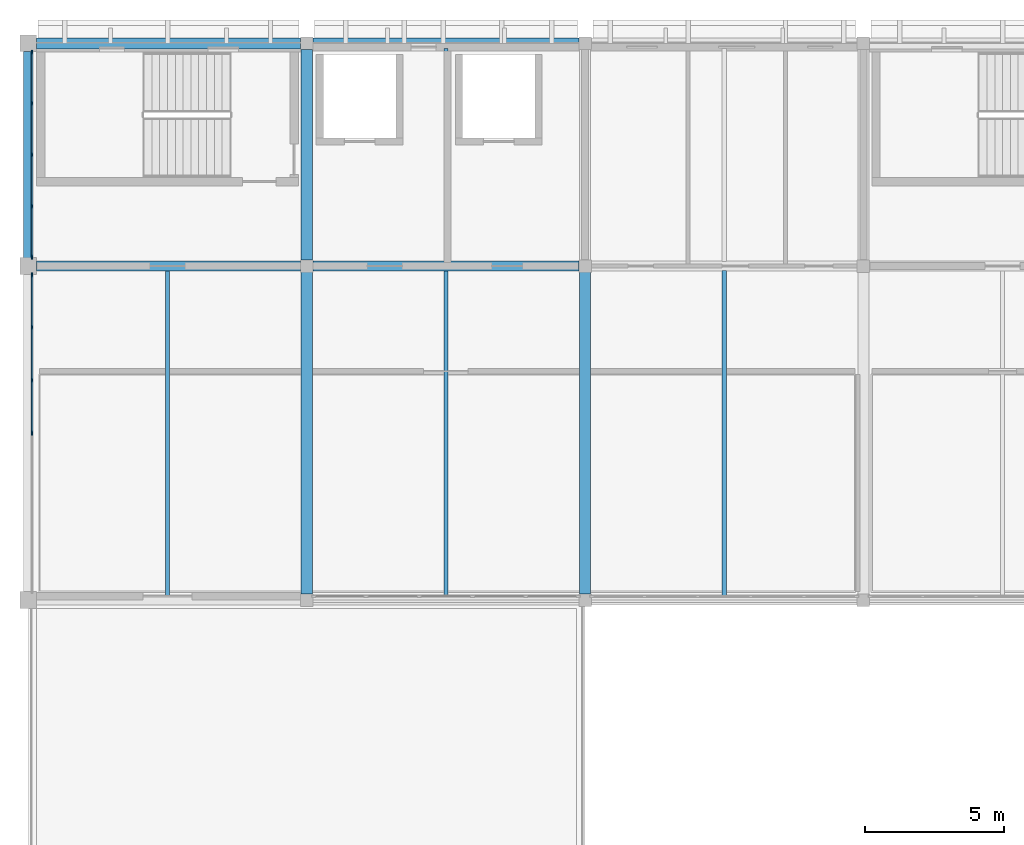
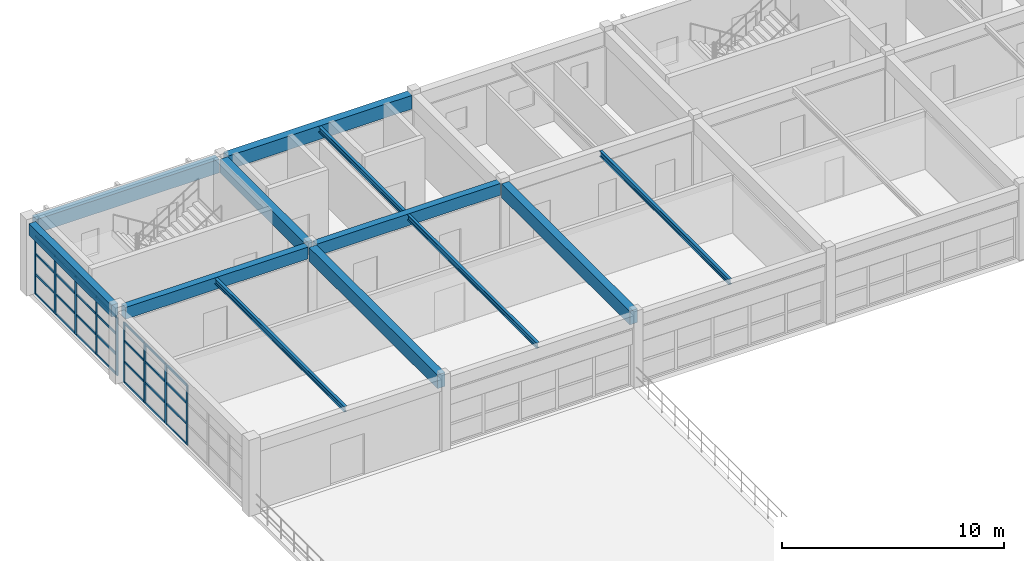
# One storey, part 9 of 21: 37 members, 12 beams, 2 elements without a shape of their own.
"""IFC4 building model written with IfcOpenShell, lengths in metres."""

from ifc_helpers import new_model, si_unit, direction, frame, origin, origin_2d, place, context, subcontext, project, spatial, rectangle, i_section, extrude, material, layer, layer_set, material_profile, profile_set, type_object, element, aggregate, save


model = new_model("IFC4")

# Units and contexts
model_context = context("Model", 3, precision=1e-05, world=origin(), true_north=direction((0.0, 1.0)))
body_context = subcontext(model_context, "Body", "Model", "MODEL_VIEW")
ifc_project = project(units=[si_unit("LENGTHUNIT", "METRE"), si_unit("AREAUNIT", "SQUARE_METRE"), si_unit("VOLUMEUNIT", "CUBIC_METRE"), si_unit("PLANEANGLEUNIT", "RADIAN"), si_unit("MASSUNIT", "GRAM", prefix="KILO")], contexts=[model_context])

# Site, building, storey
site_placement = place(None, origin())
site = spatial("IfcSite", under=ifc_project, at=site_placement, CompositionType="ELEMENT")
building_placement = place(site_placement, origin())
building = spatial("IfcBuilding", under=site, at=building_placement, Name="Kivolera Central Railway Station", CompositionType="ELEMENT")
storey_placement = place(building_placement, frame((0.0, 0.0, 22.800048828125)))
storey = spatial("IfcBuildingStorey", under=building, at=storey_placement, Name="L05", CompositionType="ELEMENT", Elevation=22.800048828125)

# Beams
ifc_material_1 = material(Name="Steel S355", Category="steel")
ifc_material_profile_1 = material_profile(ifc_material_1, i_section(OverallWidth=0.14990234375, OverallDepth=0.300048828125, WebThickness=0.007080078125, FlangeThickness=0.0107421875, FilletRadius=0.014892578125, at=origin_2d()), Name="IPE 300")
ifc_profile_set_1 = profile_set([ifc_material_profile_1], Name="Steel S355")
beam_type_1 = type_object("IfcBeamType", Name="BM-JST-IPE300", PredefinedType="JOIST", material=ifc_profile_set_1)
for number, where, z_axis, x_axis, name in (
    (1, (123.0, 114.1669921875, 3.787841796875), (0.0, 1.0, 0.0), (-1.0, 0.0, 0.0), "L05 Floor Joist 12-13/K-L"),
    (2, (133.0, 114.1669921875, 3.787841796875), (0.0, 1.0, 0.0), (-1.0, 0.0, 0.0), "L05 Floor Joist 13-14/K-L"),
):
    element("IfcBeam", number, at=place(storey_placement, frame(where, z_axis=z_axis, x_axis=x_axis)), inside=storey, type_object=beam_type_1, Name=name, PredefinedType="JOIST", context=body_context, shape_type="SweptSolid", body=[
        extrude(i_section(OverallWidth=0.14990234375, OverallDepth=0.300048828125, WebThickness=0.007080078125, FlangeThickness=0.0107421875, FilletRadius=0.014892578125, at=origin_2d()), origin(), (0.0, 0.0, 1.0), 11.666015625),
    ])
beam_1_placement = place(storey_placement, frame((133.0, 126.1669921875, 3.787841796875), z_axis=(0.0, 1.0, 0.0), x_axis=(-1.0, 0.0, 0.0)))
element("IfcBeam", 3, at=beam_1_placement, inside=storey, type_object=beam_type_1, Name="L05 Floor Joist 13-14/L-M", PredefinedType="JOIST", context=body_context, shape_type="SweptSolid", body=[
    extrude(i_section(OverallWidth=0.14990234375, OverallDepth=0.300048828125, WebThickness=0.007080078125, FlangeThickness=0.0107421875, FilletRadius=0.014892578125, at=origin_2d()), origin(), (0.0, 0.0, 1.0), 7.64111328125),
])
beam_2_placement = place(storey_placement, frame((143.0, 114.1669921875, 3.787841796875), z_axis=(0.0, 1.0, 0.0), x_axis=(-1.0, 0.0, 0.0)))
element("IfcBeam", 4, at=beam_2_placement, inside=storey, type_object=beam_type_1, Name="L05 Floor Joist 14-15/K-L", PredefinedType="JOIST", context=body_context, shape_type="SweptSolid", body=[
    extrude(i_section(OverallWidth=0.14990234375, OverallDepth=0.300048828125, WebThickness=0.007080078125, FlangeThickness=0.0107421875, FilletRadius=0.014892578125, at=origin_2d()), origin(), (0.0, 0.0, 1.0), 11.666015625),
])
ifc_material_2 = material(Name="Concrete C40/50", Category="concrete")
ifc_material_profile_2 = material_profile(ifc_material_2, rectangle(XDim=0.35009765625, YDim=0.64990234375, at=origin_2d()), Name="RC 350x650")
ifc_profile_set_2 = profile_set([ifc_material_profile_2], Name="Concrete C40/50")
beam_type_2 = type_object("IfcBeamType", Name="BM-RC-350x650", PredefinedType="BEAM", material=ifc_profile_set_2)
beam_3_placement = place(storey_placement, frame((118.2919921875, 126.0, 3.625), z_axis=(1.0, 0.0, 0.0), x_axis=(0.0, 1.0, 0.0)))
element("IfcBeam", 5, at=beam_3_placement, inside=storey, type_object=beam_type_2, Name="L05 Wing X-Beam L:12-13", PredefinedType="BEAM", context=body_context, shape_type="SweptSolid", body=[
    extrude(rectangle(XDim=0.35009765625, YDim=0.64990234375, at=origin_2d()), origin(), (0.0, 0.0, 1.0), 9.490966796875),
])
beam_4_placement = place(storey_placement, frame((128.217041015625, 126.0, 3.625), z_axis=(1.0, 0.0, 0.0), x_axis=(0.0, 1.0, 0.0)))
element("IfcBeam", 6, at=beam_4_placement, inside=storey, type_object=beam_type_2, Name="L05 Wing X-Beam L:13-14", PredefinedType="BEAM", context=body_context, shape_type="SweptSolid", body=[
    extrude(rectangle(XDim=0.35009765625, YDim=0.64990234375, at=origin_2d()), origin(), (0.0, 0.0, 1.0), 9.56591796875),
])
ifc_material_profile_3 = material_profile(ifc_material_2, rectangle(XDim=0.39990234375, YDim=0.75, at=origin_2d()), Name="RC 400x750")
ifc_profile_set_3 = profile_set([ifc_material_profile_3], Name="Concrete C40/50")
beam_type_3 = type_object("IfcBeamType", Name="BM-RC-400x750", PredefinedType="BEAM", material=ifc_profile_set_3)
beam_5_placement = place(storey_placement, frame((128.0, 114.217041015625, 3.574951171875), z_axis=(0.0, 1.0, 0.0), x_axis=(-1.0, 0.0, 0.0)))
element("IfcBeam", 7, at=beam_5_placement, inside=storey, type_object=beam_type_3, Name="L05 Wing Y-Beam 13:K-L", PredefinedType="BEAM", context=body_context, shape_type="SweptSolid", body=[
    extrude(rectangle(XDim=0.39990234375, YDim=0.75, at=origin_2d()), origin(), (0.0, 0.0, 1.0), 11.56591796875),
])
beam_6_placement = place(storey_placement, frame((128.0, 126.217041015625, 3.574951171875), z_axis=(0.0, 1.0, 0.0), x_axis=(-1.0, 0.0, 0.0)))
element("IfcBeam", 8, at=beam_6_placement, inside=storey, type_object=beam_type_3, Name="L05 Wing Y-Beam 13:L-M", PredefinedType="BEAM", context=body_context, shape_type="SweptSolid", body=[
    extrude(rectangle(XDim=0.39990234375, YDim=0.75, at=origin_2d()), origin(), (0.0, 0.0, 1.0), 7.56591796875),
])
beam_7_placement = place(storey_placement, frame((138.0, 114.217041015625, 3.574951171875), z_axis=(0.0, 1.0, 0.0), x_axis=(-1.0, 0.0, 0.0)))
element("IfcBeam", 9, at=beam_7_placement, inside=storey, type_object=beam_type_3, Name="L05 Wing Y-Beam 14:K-L", PredefinedType="BEAM", context=body_context, shape_type="SweptSolid", body=[
    extrude(rectangle(XDim=0.39990234375, YDim=0.75, at=origin_2d()), origin(), (0.0, 0.0, 1.0), 11.56591796875),
])
ifc_material_profile_4 = material_profile(ifc_material_2, rectangle(XDim=0.35009765625, YDim=0.64990234375, at=origin_2d()), Name="RC 350x650")
ifc_profile_set_4 = profile_set([ifc_material_profile_4], Name="Concrete C40/50")
beam_type_4 = type_object("IfcBeamType", Name="BM-SPN-RC650", PredefinedType="SPANDREL", material=ifc_profile_set_4)
beam_8_placement = place(storey_placement, frame((118.0, 126.2919921875, 3.625), z_axis=(0.0, 1.0, 0.0), x_axis=(-1.0, 0.0, 0.0)))
element("IfcBeam", 10, at=beam_8_placement, inside=storey, type_object=beam_type_4, Name="L05 Wing Y-Beam 12:L-M", PredefinedType="SPANDREL", context=body_context, shape_type="SweptSolid", body=[
    extrude(rectangle(XDim=0.35009765625, YDim=0.64990234375, at=origin_2d()), origin(), (0.0, 0.0, 1.0), 7.416015625),
])
ifc_material_profile_5 = material_profile(ifc_material_2, rectangle(XDim=0.39990234375, YDim=0.75, at=origin_2d()), Name="RC 400x750")
ifc_profile_set_5 = profile_set([ifc_material_profile_5], Name="Concrete C40/50")
beam_type_5 = type_object("IfcBeamType", Name="BM-SPN-RC750", PredefinedType="SPANDREL", material=ifc_profile_set_5)
beam_9_placement = place(storey_placement, frame((118.2919921875, 134.0, 3.574951171875), z_axis=(1.0, 0.0, 0.0), x_axis=(0.0, 1.0, 0.0)))
element("IfcBeam", 11, at=beam_9_placement, inside=storey, type_object=beam_type_5, Name="L05 Wing X-Beam M:12-13", PredefinedType="SPANDREL", context=body_context, shape_type="SweptSolid", body=[
    extrude(rectangle(XDim=0.39990234375, YDim=0.75, at=origin_2d()), origin(), (0.0, 0.0, 1.0), 9.490966796875),
])
beam_10_placement = place(storey_placement, frame((128.217041015625, 134.0, 3.574951171875), z_axis=(1.0, 0.0, 0.0), x_axis=(0.0, 1.0, 0.0)))
element("IfcBeam", 12, at=beam_10_placement, inside=storey, type_object=beam_type_5, Name="L05 Wing X-Beam M:13-14", PredefinedType="SPANDREL", context=body_context, shape_type="SweptSolid", body=[
    extrude(rectangle(XDim=0.39990234375, YDim=0.75, at=origin_2d()), origin(), (0.0, 0.0, 1.0), 9.56591796875),
])

# Curtain wall, members
ifc_material_3 = material(Name="Anodised aluminium", Category="aluminium")
ifc_layer_1 = layer(ifc_material_3, 0.179931640625, Name="Anodised aluminium")
ifc_layer_set_1 = layer_set([ifc_layer_1], Name="Anodised aluminium")
curtain_wall_type_1 = type_object("IfcCurtainWallType", Name="CW-SYS-33", PredefinedType="NOTDEFINED", material=ifc_layer_set_1)
curtain_wall_1_placement = place(storey_placement, origin())
curtain_wall_1 = element("IfcCurtainWall", 13, at=curtain_wall_1_placement, inside=storey, type_object=curtain_wall_type_1, Name="L05 Curtain Wall CW-L05-WEST-K", PredefinedType="NOTDEFINED")
ifc_material_profile_6 = material_profile(ifc_material_3, rectangle(XDim=0.06005859375, YDim=0.14990234375, at=origin_2d()), Name="ALU MULL 60x150")
ifc_profile_set_6 = profile_set([ifc_material_profile_6], Name="Anodised aluminium")
member_type_1 = type_object("IfcMemberType", Name="CWM-MUL-2", PredefinedType="MULLION", material=ifc_profile_set_6)
member_1_placement = place(storey_placement, frame((118.135009765625, 120.0, -0.005126953125), z_axis=(0.0, 0.0, 1.0), x_axis=(-1.0, 0.0, 0.0)))
member_1 = element("IfcMember", 14, at=member_1_placement, type_object=member_type_1, Name="CW-33 mullion 4", PredefinedType="MULLION", context=body_context, shape_type="SweptSolid", body=[
    extrude(rectangle(XDim=0.06005859375, YDim=0.14990234375, at=origin_2d()), origin(), (0.0, 0.0, 1.0), 3.29296875),
])
member_2_placement = place(storey_placement, frame((118.135009765625, 121.901611328125, -0.005126953125), z_axis=(0.0, 0.0, 1.0), x_axis=(-1.0, 0.0, 0.0)))
member_2 = element("IfcMember", 15, at=member_2_placement, type_object=member_type_1, Name="CW-33 mullion 5", PredefinedType="MULLION", context=body_context, shape_type="SweptSolid", body=[
    extrude(rectangle(XDim=0.06005859375, YDim=0.14990234375, at=origin_2d()), origin(), (0.0, 0.0, 1.0), 3.29296875),
])
member_3_placement = place(storey_placement, frame((118.135009765625, 123.80322265625, -0.005126953125), z_axis=(0.0, 0.0, 1.0), x_axis=(-1.0, 0.0, 0.0)))
member_3 = element("IfcMember", 16, at=member_3_placement, type_object=member_type_1, Name="CW-33 mullion 6", PredefinedType="MULLION", context=body_context, shape_type="SweptSolid", body=[
    extrude(rectangle(XDim=0.06005859375, YDim=0.14990234375, at=origin_2d()), origin(), (0.0, 0.0, 1.0), 3.29296875),
])
member_4_placement = place(storey_placement, frame((118.135009765625, 125.675048828125, -0.005126953125), z_axis=(0.0, 0.0, 1.0), x_axis=(-1.0, 0.0, 0.0)))
member_4 = element("IfcMember", 17, at=member_4_placement, type_object=member_type_1, Name="CW-33 mullion 7", PredefinedType="MULLION", context=body_context, shape_type="SweptSolid", body=[
    extrude(rectangle(XDim=0.06005859375, YDim=0.14990234375, at=origin_2d()), origin(), (0.0, 0.0, 1.0), 3.29296875),
])

ifc_layer_2 = layer(ifc_material_3, 0.179931640625, Name="Anodised aluminium")
ifc_layer_set_2 = layer_set([ifc_layer_2], Name="Anodised aluminium")
curtain_wall_type_2 = type_object("IfcCurtainWallType", Name="CW-SYS-36", PredefinedType="NOTDEFINED", material=ifc_layer_set_2)
curtain_wall_2_placement = place(storey_placement, origin())
curtain_wall_2 = element("IfcCurtainWall", 18, at=curtain_wall_2_placement, inside=storey, type_object=curtain_wall_type_2, Name="L05 Curtain Wall CW-L05-WEST-L", PredefinedType="NOTDEFINED")
member_5_placement = place(storey_placement, frame((118.135009765625, 126.324951171875, -0.005126953125), z_axis=(0.0, 0.0, 1.0), x_axis=(-1.0, 0.0, 0.0)))
member_5 = element("IfcMember", 19, at=member_5_placement, type_object=member_type_1, Name="CW-36 mullion 1", PredefinedType="MULLION", context=body_context, shape_type="SweptSolid", body=[
    extrude(rectangle(XDim=0.06005859375, YDim=0.14990234375, at=origin_2d()), origin(), (0.0, 0.0, 1.0), 3.193115234375),
])
member_6_placement = place(storey_placement, frame((118.135009765625, 128.1474609375, -0.005126953125), z_axis=(0.0, 0.0, 1.0), x_axis=(-1.0, 0.0, 0.0)))
member_6 = element("IfcMember", 20, at=member_6_placement, type_object=member_type_1, Name="CW-36 mullion 2", PredefinedType="MULLION", context=body_context, shape_type="SweptSolid", body=[
    extrude(rectangle(XDim=0.06005859375, YDim=0.14990234375, at=origin_2d()), origin(), (0.0, 0.0, 1.0), 3.193115234375),
])
member_7_placement = place(storey_placement, frame((118.135009765625, 130.0, -0.005126953125), z_axis=(0.0, 0.0, 1.0), x_axis=(-1.0, 0.0, 0.0)))
member_7 = element("IfcMember", 21, at=member_7_placement, type_object=member_type_1, Name="CW-36 mullion 3", PredefinedType="MULLION", context=body_context, shape_type="SweptSolid", body=[
    extrude(rectangle(XDim=0.06005859375, YDim=0.14990234375, at=origin_2d()), origin(), (0.0, 0.0, 1.0), 3.193115234375),
])
member_8_placement = place(storey_placement, frame((118.135009765625, 131.8525390625, -0.005126953125), z_axis=(0.0, 0.0, 1.0), x_axis=(-1.0, 0.0, 0.0)))
member_8 = element("IfcMember", 22, at=member_8_placement, type_object=member_type_1, Name="CW-36 mullion 4", PredefinedType="MULLION", context=body_context, shape_type="SweptSolid", body=[
    extrude(rectangle(XDim=0.06005859375, YDim=0.14990234375, at=origin_2d()), origin(), (0.0, 0.0, 1.0), 3.193115234375),
])
member_9_placement = place(storey_placement, frame((118.135009765625, 133.675048828125, -0.005126953125), z_axis=(0.0, 0.0, 1.0), x_axis=(-1.0, 0.0, 0.0)))
member_9 = element("IfcMember", 23, at=member_9_placement, type_object=member_type_1, Name="CW-36 mullion 5", PredefinedType="MULLION", context=body_context, shape_type="SweptSolid", body=[
    extrude(rectangle(XDim=0.06005859375, YDim=0.14990234375, at=origin_2d()), origin(), (0.0, 0.0, 1.0), 3.193115234375),
])

# Member
ifc_material_profile_7 = material_profile(ifc_material_3, rectangle(XDim=0.06005859375, YDim=0.1201171875, at=origin_2d()), Name="ALU TRAN 60x120")
ifc_profile_set_7 = profile_set([ifc_material_profile_7], Name="Anodised aluminium")
member_type_2 = type_object("IfcMemberType", Name="CWM-TRN-2", PredefinedType="USERDEFINED", material=ifc_profile_set_7)
member_10_placement = place(storey_placement, frame((118.135009765625, 120.030029296875, 0.030029296875), z_axis=(0.0, 1.0, 0.0), x_axis=(-1.0, 0.0, 0.0)))
member_10 = element("IfcMember", 24, at=member_10_placement, type_object=member_type_2, Name="CW-33 transom 4.1", ObjectType="TRANSOM", PredefinedType="USERDEFINED", context=body_context, shape_type="SweptSolid", body=[
    extrude(rectangle(XDim=0.06005859375, YDim=0.1201171875, at=origin_2d()), origin(), (0.0, 0.0, 1.0), 1.841552734375),
])

member_11_placement = place(storey_placement, frame((118.135009765625, 120.030029296875, 1.150634765625), z_axis=(0.0, 1.0, 0.0), x_axis=(-1.0, 0.0, 0.0)))
member_11 = element("IfcMember", 25, at=member_11_placement, type_object=member_type_2, Name="CW-33 transom 4.2", ObjectType="TRANSOM", PredefinedType="USERDEFINED", context=body_context, shape_type="SweptSolid", body=[
    extrude(rectangle(XDim=0.06005859375, YDim=0.1201171875, at=origin_2d()), origin(), (0.0, 0.0, 1.0), 1.841552734375),
])

member_12_placement = place(storey_placement, frame((118.135009765625, 120.030029296875, 2.301513671875), z_axis=(0.0, 1.0, 0.0), x_axis=(-1.0, 0.0, 0.0)))
member_12 = element("IfcMember", 26, at=member_12_placement, type_object=member_type_2, Name="CW-33 transom 4.3", ObjectType="TRANSOM", PredefinedType="USERDEFINED", context=body_context, shape_type="SweptSolid", body=[
    extrude(rectangle(XDim=0.06005859375, YDim=0.1201171875, at=origin_2d()), origin(), (0.0, 0.0, 1.0), 1.841552734375),
])

member_13_placement = place(storey_placement, frame((118.135009765625, 120.030029296875, 3.258056640625), z_axis=(0.0, 1.0, 0.0), x_axis=(-1.0, 0.0, 0.0)))
member_13 = element("IfcMember", 27, at=member_13_placement, type_object=member_type_2, Name="CW-33 transom 4.4", ObjectType="TRANSOM", PredefinedType="USERDEFINED", context=body_context, shape_type="SweptSolid", body=[
    extrude(rectangle(XDim=0.06005859375, YDim=0.1201171875, at=origin_2d()), origin(), (0.0, 0.0, 1.0), 1.841552734375),
])

member_14_placement = place(storey_placement, frame((118.135009765625, 121.931640625, 0.030029296875), z_axis=(0.0, 1.0, 0.0), x_axis=(-1.0, 0.0, 0.0)))
member_14 = element("IfcMember", 28, at=member_14_placement, type_object=member_type_2, Name="CW-33 transom 5.1", ObjectType="TRANSOM", PredefinedType="USERDEFINED", context=body_context, shape_type="SweptSolid", body=[
    extrude(rectangle(XDim=0.06005859375, YDim=0.1201171875, at=origin_2d()), origin(), (0.0, 0.0, 1.0), 1.841796875),
])

member_15_placement = place(storey_placement, frame((118.135009765625, 121.931640625, 1.150634765625), z_axis=(0.0, 1.0, 0.0), x_axis=(-1.0, 0.0, 0.0)))
member_15 = element("IfcMember", 29, at=member_15_placement, type_object=member_type_2, Name="CW-33 transom 5.2", ObjectType="TRANSOM", PredefinedType="USERDEFINED", context=body_context, shape_type="SweptSolid", body=[
    extrude(rectangle(XDim=0.06005859375, YDim=0.1201171875, at=origin_2d()), origin(), (0.0, 0.0, 1.0), 1.841796875),
])

member_16_placement = place(storey_placement, frame((118.135009765625, 121.931640625, 2.301513671875), z_axis=(0.0, 1.0, 0.0), x_axis=(-1.0, 0.0, 0.0)))
member_16 = element("IfcMember", 30, at=member_16_placement, type_object=member_type_2, Name="CW-33 transom 5.3", ObjectType="TRANSOM", PredefinedType="USERDEFINED", context=body_context, shape_type="SweptSolid", body=[
    extrude(rectangle(XDim=0.06005859375, YDim=0.1201171875, at=origin_2d()), origin(), (0.0, 0.0, 1.0), 1.841796875),
])

member_17_placement = place(storey_placement, frame((118.135009765625, 121.931640625, 3.258056640625), z_axis=(0.0, 1.0, 0.0), x_axis=(-1.0, 0.0, 0.0)))
member_17 = element("IfcMember", 31, at=member_17_placement, type_object=member_type_2, Name="CW-33 transom 5.4", ObjectType="TRANSOM", PredefinedType="USERDEFINED", context=body_context, shape_type="SweptSolid", body=[
    extrude(rectangle(XDim=0.06005859375, YDim=0.1201171875, at=origin_2d()), origin(), (0.0, 0.0, 1.0), 1.841796875),
])

member_18_placement = place(storey_placement, frame((118.135009765625, 123.833251953125, 0.030029296875), z_axis=(0.0, 1.0, 0.0), x_axis=(-1.0, 0.0, 0.0)))
member_18 = element("IfcMember", 32, at=member_18_placement, type_object=member_type_2, Name="CW-33 transom 6.1", ObjectType="TRANSOM", PredefinedType="USERDEFINED", context=body_context, shape_type="SweptSolid", body=[
    extrude(rectangle(XDim=0.06005859375, YDim=0.1201171875, at=origin_2d()), origin(), (0.0, 0.0, 1.0), 1.811767578125),
])

member_19_placement = place(storey_placement, frame((118.135009765625, 123.833251953125, 1.150634765625), z_axis=(0.0, 1.0, 0.0), x_axis=(-1.0, 0.0, 0.0)))
member_19 = element("IfcMember", 33, at=member_19_placement, type_object=member_type_2, Name="CW-33 transom 6.2", ObjectType="TRANSOM", PredefinedType="USERDEFINED", context=body_context, shape_type="SweptSolid", body=[
    extrude(rectangle(XDim=0.06005859375, YDim=0.1201171875, at=origin_2d()), origin(), (0.0, 0.0, 1.0), 1.811767578125),
])

member_20_placement = place(storey_placement, frame((118.135009765625, 123.833251953125, 2.301513671875), z_axis=(0.0, 1.0, 0.0), x_axis=(-1.0, 0.0, 0.0)))
member_20 = element("IfcMember", 34, at=member_20_placement, type_object=member_type_2, Name="CW-33 transom 6.3", ObjectType="TRANSOM", PredefinedType="USERDEFINED", context=body_context, shape_type="SweptSolid", body=[
    extrude(rectangle(XDim=0.06005859375, YDim=0.1201171875, at=origin_2d()), origin(), (0.0, 0.0, 1.0), 1.811767578125),
])

member_21_placement = place(storey_placement, frame((118.135009765625, 123.833251953125, 3.258056640625), z_axis=(0.0, 1.0, 0.0), x_axis=(-1.0, 0.0, 0.0)))
member_21 = element("IfcMember", 35, at=member_21_placement, type_object=member_type_2, Name="CW-33 transom 6.4", ObjectType="TRANSOM", PredefinedType="USERDEFINED", context=body_context, shape_type="SweptSolid", body=[
    extrude(rectangle(XDim=0.06005859375, YDim=0.1201171875, at=origin_2d()), origin(), (0.0, 0.0, 1.0), 1.811767578125),
])

aggregate(curtain_wall_1, [member_1, member_2, member_3, member_4, member_10, member_11, member_12, member_13, member_14, member_15, member_16, member_17, member_18, member_19, member_20, member_21])

member_22_placement = place(storey_placement, frame((118.135009765625, 126.35498046875, 0.030029296875), z_axis=(0.0, 1.0, 0.0), x_axis=(-1.0, 0.0, 0.0)))
member_22 = element("IfcMember", 36, at=member_22_placement, type_object=member_type_2, Name="CW-36 transom 1.1", ObjectType="TRANSOM", PredefinedType="USERDEFINED", context=body_context, shape_type="SweptSolid", body=[
    extrude(rectangle(XDim=0.06005859375, YDim=0.1201171875, at=origin_2d()), origin(), (0.0, 0.0, 1.0), 1.762451171875),
])

member_23_placement = place(storey_placement, frame((118.135009765625, 126.35498046875, 1.11572265625), z_axis=(0.0, 1.0, 0.0), x_axis=(-1.0, 0.0, 0.0)))
member_23 = element("IfcMember", 37, at=member_23_placement, type_object=member_type_2, Name="CW-36 transom 1.2", ObjectType="TRANSOM", PredefinedType="USERDEFINED", context=body_context, shape_type="SweptSolid", body=[
    extrude(rectangle(XDim=0.06005859375, YDim=0.1201171875, at=origin_2d()), origin(), (0.0, 0.0, 1.0), 1.762451171875),
])

member_24_placement = place(storey_placement, frame((118.135009765625, 126.35498046875, 2.2314453125), z_axis=(0.0, 1.0, 0.0), x_axis=(-1.0, 0.0, 0.0)))
member_24 = element("IfcMember", 38, at=member_24_placement, type_object=member_type_2, Name="CW-36 transom 1.3", ObjectType="TRANSOM", PredefinedType="USERDEFINED", context=body_context, shape_type="SweptSolid", body=[
    extrude(rectangle(XDim=0.06005859375, YDim=0.1201171875, at=origin_2d()), origin(), (0.0, 0.0, 1.0), 1.762451171875),
])

member_25_placement = place(storey_placement, frame((118.135009765625, 126.35498046875, 3.157958984375), z_axis=(0.0, 1.0, 0.0), x_axis=(-1.0, 0.0, 0.0)))
member_25 = element("IfcMember", 39, at=member_25_placement, type_object=member_type_2, Name="CW-36 transom 1.4", ObjectType="TRANSOM", PredefinedType="USERDEFINED", context=body_context, shape_type="SweptSolid", body=[
    extrude(rectangle(XDim=0.06005859375, YDim=0.1201171875, at=origin_2d()), origin(), (0.0, 0.0, 1.0), 1.762451171875),
])

member_26_placement = place(storey_placement, frame((118.135009765625, 128.177490234375, 0.030029296875), z_axis=(0.0, 1.0, 0.0), x_axis=(-1.0, 0.0, 0.0)))
member_26 = element("IfcMember", 40, at=member_26_placement, type_object=member_type_2, Name="CW-36 transom 2.1", ObjectType="TRANSOM", PredefinedType="USERDEFINED", context=body_context, shape_type="SweptSolid", body=[
    extrude(rectangle(XDim=0.06005859375, YDim=0.1201171875, at=origin_2d()), origin(), (0.0, 0.0, 1.0), 1.79248046875),
])

member_27_placement = place(storey_placement, frame((118.135009765625, 128.177490234375, 1.11572265625), z_axis=(0.0, 1.0, 0.0), x_axis=(-1.0, 0.0, 0.0)))
member_27 = element("IfcMember", 41, at=member_27_placement, type_object=member_type_2, Name="CW-36 transom 2.2", ObjectType="TRANSOM", PredefinedType="USERDEFINED", context=body_context, shape_type="SweptSolid", body=[
    extrude(rectangle(XDim=0.06005859375, YDim=0.1201171875, at=origin_2d()), origin(), (0.0, 0.0, 1.0), 1.79248046875),
])

member_28_placement = place(storey_placement, frame((118.135009765625, 128.177490234375, 2.2314453125), z_axis=(0.0, 1.0, 0.0), x_axis=(-1.0, 0.0, 0.0)))
member_28 = element("IfcMember", 42, at=member_28_placement, type_object=member_type_2, Name="CW-36 transom 2.3", ObjectType="TRANSOM", PredefinedType="USERDEFINED", context=body_context, shape_type="SweptSolid", body=[
    extrude(rectangle(XDim=0.06005859375, YDim=0.1201171875, at=origin_2d()), origin(), (0.0, 0.0, 1.0), 1.79248046875),
])

member_29_placement = place(storey_placement, frame((118.135009765625, 128.177490234375, 3.157958984375), z_axis=(0.0, 1.0, 0.0), x_axis=(-1.0, 0.0, 0.0)))
member_29 = element("IfcMember", 43, at=member_29_placement, type_object=member_type_2, Name="CW-36 transom 2.4", ObjectType="TRANSOM", PredefinedType="USERDEFINED", context=body_context, shape_type="SweptSolid", body=[
    extrude(rectangle(XDim=0.06005859375, YDim=0.1201171875, at=origin_2d()), origin(), (0.0, 0.0, 1.0), 1.79248046875),
])

member_30_placement = place(storey_placement, frame((118.135009765625, 130.030029296875, 0.030029296875), z_axis=(0.0, 1.0, 0.0), x_axis=(-1.0, 0.0, 0.0)))
member_30 = element("IfcMember", 44, at=member_30_placement, type_object=member_type_2, Name="CW-36 transom 3.1", ObjectType="TRANSOM", PredefinedType="USERDEFINED", context=body_context, shape_type="SweptSolid", body=[
    extrude(rectangle(XDim=0.06005859375, YDim=0.1201171875, at=origin_2d()), origin(), (0.0, 0.0, 1.0), 1.79248046875),
])

member_31_placement = place(storey_placement, frame((118.135009765625, 130.030029296875, 1.11572265625), z_axis=(0.0, 1.0, 0.0), x_axis=(-1.0, 0.0, 0.0)))
member_31 = element("IfcMember", 45, at=member_31_placement, type_object=member_type_2, Name="CW-36 transom 3.2", ObjectType="TRANSOM", PredefinedType="USERDEFINED", context=body_context, shape_type="SweptSolid", body=[
    extrude(rectangle(XDim=0.06005859375, YDim=0.1201171875, at=origin_2d()), origin(), (0.0, 0.0, 1.0), 1.79248046875),
])

member_32_placement = place(storey_placement, frame((118.135009765625, 130.030029296875, 2.2314453125), z_axis=(0.0, 1.0, 0.0), x_axis=(-1.0, 0.0, 0.0)))
member_32 = element("IfcMember", 46, at=member_32_placement, type_object=member_type_2, Name="CW-36 transom 3.3", ObjectType="TRANSOM", PredefinedType="USERDEFINED", context=body_context, shape_type="SweptSolid", body=[
    extrude(rectangle(XDim=0.06005859375, YDim=0.1201171875, at=origin_2d()), origin(), (0.0, 0.0, 1.0), 1.79248046875),
])

member_33_placement = place(storey_placement, frame((118.135009765625, 130.030029296875, 3.157958984375), z_axis=(0.0, 1.0, 0.0), x_axis=(-1.0, 0.0, 0.0)))
member_33 = element("IfcMember", 47, at=member_33_placement, type_object=member_type_2, Name="CW-36 transom 3.4", ObjectType="TRANSOM", PredefinedType="USERDEFINED", context=body_context, shape_type="SweptSolid", body=[
    extrude(rectangle(XDim=0.06005859375, YDim=0.1201171875, at=origin_2d()), origin(), (0.0, 0.0, 1.0), 1.79248046875),
])

member_34_placement = place(storey_placement, frame((118.135009765625, 131.882568359375, 0.030029296875), z_axis=(0.0, 1.0, 0.0), x_axis=(-1.0, 0.0, 0.0)))
member_34 = element("IfcMember", 48, at=member_34_placement, type_object=member_type_2, Name="CW-36 transom 4.1", ObjectType="TRANSOM", PredefinedType="USERDEFINED", context=body_context, shape_type="SweptSolid", body=[
    extrude(rectangle(XDim=0.06005859375, YDim=0.1201171875, at=origin_2d()), origin(), (0.0, 0.0, 1.0), 1.762451171875),
])

member_35_placement = place(storey_placement, frame((118.135009765625, 131.882568359375, 1.11572265625), z_axis=(0.0, 1.0, 0.0), x_axis=(-1.0, 0.0, 0.0)))
member_35 = element("IfcMember", 49, at=member_35_placement, type_object=member_type_2, Name="CW-36 transom 4.2", ObjectType="TRANSOM", PredefinedType="USERDEFINED", context=body_context, shape_type="SweptSolid", body=[
    extrude(rectangle(XDim=0.06005859375, YDim=0.1201171875, at=origin_2d()), origin(), (0.0, 0.0, 1.0), 1.762451171875),
])

member_36_placement = place(storey_placement, frame((118.135009765625, 131.882568359375, 2.2314453125), z_axis=(0.0, 1.0, 0.0), x_axis=(-1.0, 0.0, 0.0)))
member_36 = element("IfcMember", 50, at=member_36_placement, type_object=member_type_2, Name="CW-36 transom 4.3", ObjectType="TRANSOM", PredefinedType="USERDEFINED", context=body_context, shape_type="SweptSolid", body=[
    extrude(rectangle(XDim=0.06005859375, YDim=0.1201171875, at=origin_2d()), origin(), (0.0, 0.0, 1.0), 1.762451171875),
])

member_37_placement = place(storey_placement, frame((118.135009765625, 131.882568359375, 3.157958984375), z_axis=(0.0, 1.0, 0.0), x_axis=(-1.0, 0.0, 0.0)))
member_37 = element("IfcMember", 51, at=member_37_placement, type_object=member_type_2, Name="CW-36 transom 4.4", ObjectType="TRANSOM", PredefinedType="USERDEFINED", context=body_context, shape_type="SweptSolid", body=[
    extrude(rectangle(XDim=0.06005859375, YDim=0.1201171875, at=origin_2d()), origin(), (0.0, 0.0, 1.0), 1.762451171875),
])

aggregate(curtain_wall_2, [member_5, member_6, member_7, member_8, member_9, member_22, member_23, member_24, member_25, member_26, member_27, member_28, member_29, member_30, member_31, member_32, member_33, member_34, member_35, member_36, member_37])

save(model, "model.ifc")
